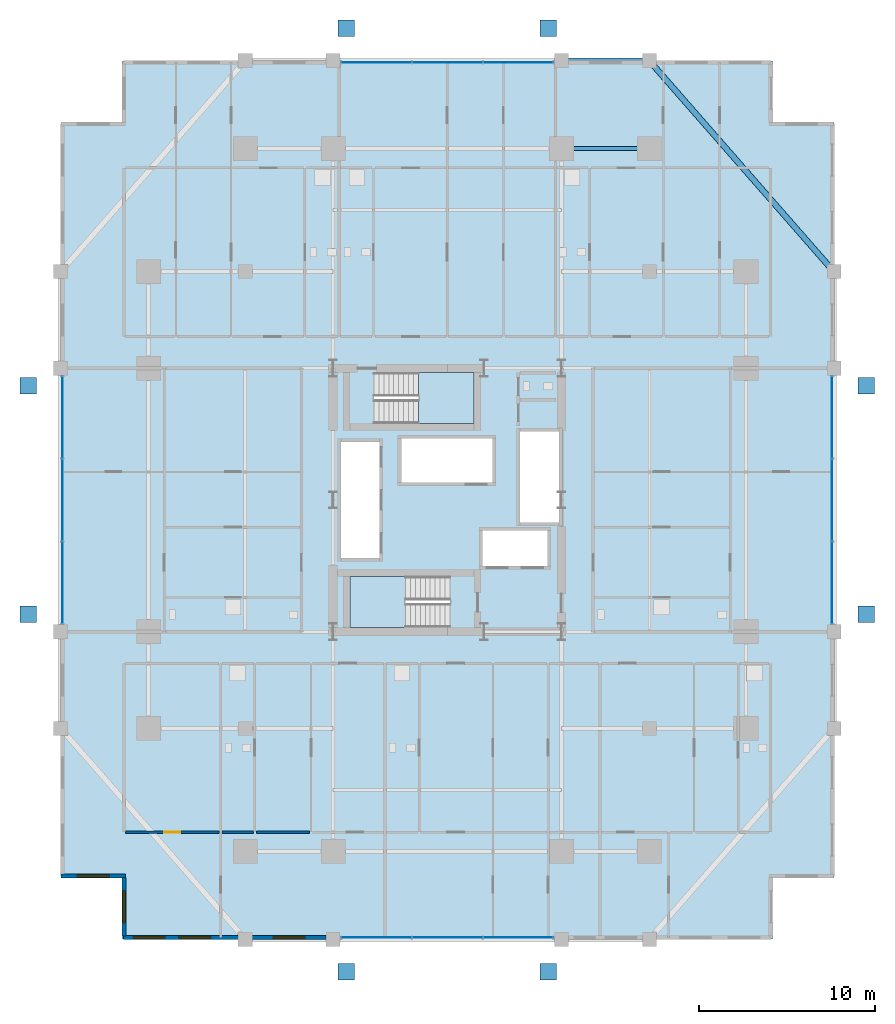
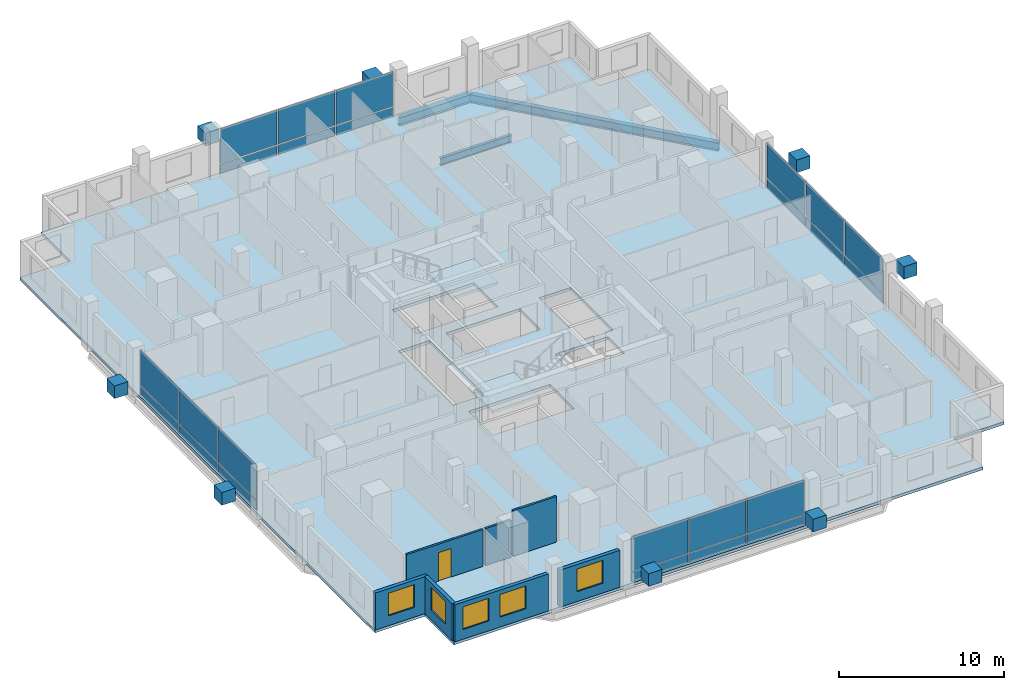
# One storey, part 16 of 24: 32 plates, 7 walls, 5 windows, 3 beams, 3 slabs, 1 door, 6 openings, 6 elements without a shape of their own.
"""IFC4 building model written with IfcOpenShell, lengths in metres."""

from ifc_helpers import new_model, si_unit, direction, frame, frame_2d, origin, origin_2d, place, context, subcontext, project, spatial, polyline, rectangle, i_section, outline, extrude, material, layer, layer_set, material_profile, profile_set, type_object, element, fill, aggregate, save


model = new_model("IFC4")

# Units and contexts
model_context = context("Model", 3, precision=1e-05, world=origin(), true_north=direction((0.0, 1.0)))
body_context = subcontext(model_context, "Body", "Model", "MODEL_VIEW")
ifc_project = project(units=[si_unit("LENGTHUNIT", "METRE"), si_unit("AREAUNIT", "SQUARE_METRE"), si_unit("VOLUMEUNIT", "CUBIC_METRE"), si_unit("PLANEANGLEUNIT", "RADIAN"), si_unit("MASSUNIT", "GRAM", prefix="KILO")], contexts=[model_context])

# Site, building, storey
site_placement = place(None, origin())
site = spatial("IfcSite", under=ifc_project, at=site_placement, CompositionType="ELEMENT")
building_placement = place(site_placement, origin())
building = spatial("IfcBuilding", under=site, at=building_placement, Name="Barlavira Tower and Art Museum", CompositionType="ELEMENT")
storey_placement = place(building_placement, frame((0.0, 0.0, 43.199951171875)))
storey = spatial("IfcBuildingStorey", under=building, at=storey_placement, Name="L09", CompositionType="ELEMENT", Elevation=43.199951171875)

# Beams
ifc_material_1 = material(Name="Steel S355", Category="steel")
ifc_material_profile_1 = material_profile(ifc_material_1, i_section(OverallWidth=0.327880859375, OverallDepth=0.62890625, WebThickness=0.013916015625, FlangeThickness=0.021484375, at=origin_2d()), Name="W610x174.0")
ifc_profile_set_1 = profile_set([ifc_material_profile_1], Name="Steel S355")
beam_type_1 = type_object("IfcBeamType", Name="Perimeter Spandrel Edge Beam W610x174 Steel S355", PredefinedType="SPANDREL", material=ifc_profile_set_1)
beam_1_placement = place(storey_placement, frame((22.0, 13.0, -0.534423828125), z_axis=(-0.658504607869, 0.752576694707, 0.0), x_axis=(-0.752576694707, -0.658504607869, 0.0)))
element("IfcBeam", 1, at=beam_1_placement, inside=storey, type_object=beam_type_1, Name="L09 Spandrel 8", PredefinedType="SPANDREL", context=body_context, shape_type="SweptSolid", body=[
    extrude(i_section(OverallWidth=0.327880859375, OverallDepth=0.62890625, WebThickness=0.013916015625, FlangeThickness=0.021484375, at=origin_2d()), origin(), (0.0, 0.0, 1.0), 15.9453125),
])
beam_2_placement = place(storey_placement, frame((6.5, 25.0, -0.534423828125), z_axis=(1.0, 0.0, 0.0), x_axis=(0.0, 1.0, 0.0)))
element("IfcBeam", 2, at=beam_2_placement, inside=storey, type_object=beam_type_1, Name="L09 Spandrel 9", PredefinedType="SPANDREL", context=body_context, shape_type="SweptSolid", body=[
    extrude(i_section(OverallWidth=0.327880859375, OverallDepth=0.62890625, WebThickness=0.013916015625, FlangeThickness=0.021484375, at=origin_2d()), origin(), (0.0, 0.0, 1.0), 5.0),
])
ifc_material_profile_2 = material_profile(ifc_material_1, i_section(OverallWidth=0.214111328125, OverallDepth=0.549072265625, WebThickness=0.0146484375, FlangeThickness=0.023681640625, at=origin_2d()), Name="W530x138.0")
ifc_profile_set_2 = profile_set([ifc_material_profile_2], Name="Steel S355")
beam_type_2 = type_object("IfcBeamType", Name="Zone 1 Primary Floor Girder W530x138 Steel S355", PredefinedType="BEAM", material=ifc_profile_set_2)
beam_3_placement = place(storey_placement, frame((6.5, 20.0, -0.494384765625), z_axis=(1.0, 0.0, 0.0), x_axis=(0.0, 1.0, 0.0)))
element("IfcBeam", 3, at=beam_3_placement, inside=storey, type_object=beam_type_2, Name="L09 Girder M-N3", PredefinedType="BEAM", context=body_context, shape_type="SweptSolid", body=[
    extrude(i_section(OverallWidth=0.214111328125, OverallDepth=0.549072265625, WebThickness=0.0146484375, FlangeThickness=0.023681640625, at=origin_2d()), origin(), (0.0, 0.0, 1.0), 5.0),
])

# Curtain wall, plates
ifc_material_2 = material(Name="Low-iron coastal laminated glass", Category="glass")
ifc_layer_1 = layer(ifc_material_2, 0.179931640625, Name="Low-iron coastal laminated glass")
ifc_layer_set_1 = layer_set([ifc_layer_1], Name="Low-iron coastal laminated glass")
curtain_wall_type = type_object("IfcCurtainWallType", Name="Pale-Metal Unitised Curtain Wall Zone 1", PredefinedType="NOTDEFINED", material=ifc_layer_set_1)
curtain_wall_1_placement = place(storey_placement, origin())
curtain_wall_1 = element("IfcCurtainWall", 4, at=curtain_wall_1_placement, inside=storey, type_object=curtain_wall_type, Name="L09 Curtain Wall CW1-L09-S-B3", PredefinedType="NOTDEFINED")
ifc_material_3 = material(Name="Pale anodised aluminium", Category="aluminium")
ifc_layer_2 = layer(ifc_material_3, 0.044921875, Name="Pale anodised aluminium")
ifc_layer_set_2 = layer_set([ifc_layer_2], Name="Pale anodised aluminium")
plate_type_1 = type_object("IfcPlateType", Name="Curtain Wall Pale-Metal Spandrel Panel 45", PredefinedType="CURTAIN_PANEL", material=ifc_layer_set_2)
plate_1_placement = place(storey_placement, frame((-4.05322265625, -24.89990234375, 0.0400390625), z_axis=(0.0, 0.0, 1.0), x_axis=(1.0, 0.0, 0.0)))
plate_1 = element("IfcPlate", 5, at=plate_1_placement, type_object=plate_type_1, Name="CW1-L09-S-B3 Spandrel Panel 0", PredefinedType="CURTAIN_PANEL", context=body_context, shape_type="SweptSolid", body=[
    extrude(rectangle(XDim=3.953369140625, YDim=0.044921875, at=origin_2d()), origin(), (0.0, 0.0, 1.0), 0.6640625),
])
plate_2_placement = place(storey_placement, frame((0.0, -24.89990234375, 0.0400390625), z_axis=(0.0, 0.0, 1.0), x_axis=(1.0, 0.0, 0.0)))
plate_2 = element("IfcPlate", 6, at=plate_2_placement, type_object=plate_type_1, Name="CW1-L09-S-B3 Spandrel Panel 1", PredefinedType="CURTAIN_PANEL", context=body_context, shape_type="SweptSolid", body=[
    extrude(rectangle(XDim=3.953369140625, YDim=0.044921875, at=origin_2d()), origin(), (0.0, 0.0, 1.0), 0.6640625),
])
plate_3_placement = place(storey_placement, frame((4.05322265625, -24.89990234375, 0.0400390625), z_axis=(0.0, 0.0, 1.0), x_axis=(1.0, 0.0, 0.0)))
plate_3 = element("IfcPlate", 7, at=plate_3_placement, type_object=plate_type_1, Name="CW1-L09-S-B3 Spandrel Panel 2", PredefinedType="CURTAIN_PANEL", context=body_context, shape_type="SweptSolid", body=[
    extrude(rectangle(XDim=3.953369140625, YDim=0.044921875, at=origin_2d()), origin(), (0.0, 0.0, 1.0), 0.6640625),
])

curtain_wall_2_placement = place(storey_placement, origin())
curtain_wall_2 = element("IfcCurtainWall", 8, at=curtain_wall_2_placement, inside=storey, type_object=curtain_wall_type, Name="L09 Curtain Wall CW1-L09-N-B3", PredefinedType="NOTDEFINED")
plate_4_placement = place(storey_placement, frame((4.05322265625, 24.89990234375, 0.0400390625), z_axis=(0.0, 0.0, 1.0), x_axis=(-1.0, 0.0, 0.0)))
plate_4 = element("IfcPlate", 9, at=plate_4_placement, type_object=plate_type_1, Name="CW1-L09-N-B3 Spandrel Panel 0", PredefinedType="CURTAIN_PANEL", context=body_context, shape_type="SweptSolid", body=[
    extrude(rectangle(XDim=3.953369140625, YDim=0.044921875, at=origin_2d()), origin(), (0.0, 0.0, 1.0), 0.6640625),
])
plate_5_placement = place(storey_placement, frame((0.0, 24.89990234375, 0.0400390625), z_axis=(0.0, 0.0, 1.0), x_axis=(-1.0, 0.0, 0.0)))
plate_5 = element("IfcPlate", 10, at=plate_5_placement, type_object=plate_type_1, Name="CW1-L09-N-B3 Spandrel Panel 1", PredefinedType="CURTAIN_PANEL", context=body_context, shape_type="SweptSolid", body=[
    extrude(rectangle(XDim=3.953369140625, YDim=0.044921875, at=origin_2d()), origin(), (0.0, 0.0, 1.0), 0.6640625),
])
plate_6_placement = place(storey_placement, frame((-4.05322265625, 24.89990234375, 0.0400390625), z_axis=(0.0, 0.0, 1.0), x_axis=(-1.0, 0.0, 0.0)))
plate_6 = element("IfcPlate", 11, at=plate_6_placement, type_object=plate_type_1, Name="CW1-L09-N-B3 Spandrel Panel 2", PredefinedType="CURTAIN_PANEL", context=body_context, shape_type="SweptSolid", body=[
    extrude(rectangle(XDim=3.953369140625, YDim=0.044921875, at=origin_2d()), origin(), (0.0, 0.0, 1.0), 0.6640625),
])

curtain_wall_3_placement = place(storey_placement, origin())
curtain_wall_3 = element("IfcCurtainWall", 12, at=curtain_wall_3_placement, inside=storey, type_object=curtain_wall_type, Name="L09 Curtain Wall CW1-L09-W-B3", PredefinedType="NOTDEFINED")
plate_7_placement = place(storey_placement, frame((-21.89990234375, 4.719970703125, 0.0400390625), z_axis=(0.0, 0.0, 1.0), x_axis=(0.0, -1.0, 0.0)))
plate_7 = element("IfcPlate", 13, at=plate_7_placement, type_object=plate_type_1, Name="CW1-L09-W-B3 Spandrel Panel 0", PredefinedType="CURTAIN_PANEL", context=body_context, shape_type="SweptSolid", body=[
    extrude(rectangle(XDim=4.6201171875, YDim=0.044921875, at=origin_2d()), origin(), (0.0, 0.0, 1.0), 0.6640625),
])
plate_8_placement = place(storey_placement, frame((-21.89990234375, 0.0, 0.0400390625), z_axis=(0.0, 0.0, 1.0), x_axis=(0.0, -1.0, 0.0)))
plate_8 = element("IfcPlate", 14, at=plate_8_placement, type_object=plate_type_1, Name="CW1-L09-W-B3 Spandrel Panel 1", PredefinedType="CURTAIN_PANEL", context=body_context, shape_type="SweptSolid", body=[
    extrude(rectangle(XDim=4.6201171875, YDim=0.044921875, at=origin_2d()), origin(), (0.0, 0.0, 1.0), 0.6640625),
])
plate_9_placement = place(storey_placement, frame((-21.89990234375, -4.719970703125, 0.0400390625), z_axis=(0.0, 0.0, 1.0), x_axis=(0.0, -1.0, 0.0)))
plate_9 = element("IfcPlate", 15, at=plate_9_placement, type_object=plate_type_1, Name="CW1-L09-W-B3 Spandrel Panel 2", PredefinedType="CURTAIN_PANEL", context=body_context, shape_type="SweptSolid", body=[
    extrude(rectangle(XDim=4.6201171875, YDim=0.044921875, at=origin_2d()), origin(), (0.0, 0.0, 1.0), 0.6640625),
])

curtain_wall_4_placement = place(storey_placement, origin())
curtain_wall_4 = element("IfcCurtainWall", 16, at=curtain_wall_4_placement, inside=storey, type_object=curtain_wall_type, Name="L09 Curtain Wall CW1-L09-E-B3", PredefinedType="NOTDEFINED")
plate_10_placement = place(storey_placement, frame((21.89990234375, -4.719970703125, 0.0400390625), z_axis=(0.0, 0.0, 1.0), x_axis=(0.0, 1.0, 0.0)))
plate_10 = element("IfcPlate", 17, at=plate_10_placement, type_object=plate_type_1, Name="CW1-L09-E-B3 Spandrel Panel 0", PredefinedType="CURTAIN_PANEL", context=body_context, shape_type="SweptSolid", body=[
    extrude(rectangle(XDim=4.6201171875, YDim=0.044921875, at=origin_2d()), origin(), (0.0, 0.0, 1.0), 0.6640625),
])
plate_11_placement = place(storey_placement, frame((21.89990234375, 0.0, 0.0400390625), z_axis=(0.0, 0.0, 1.0), x_axis=(0.0, 1.0, 0.0)))
plate_11 = element("IfcPlate", 18, at=plate_11_placement, type_object=plate_type_1, Name="CW1-L09-E-B3 Spandrel Panel 1", PredefinedType="CURTAIN_PANEL", context=body_context, shape_type="SweptSolid", body=[
    extrude(rectangle(XDim=4.6201171875, YDim=0.044921875, at=origin_2d()), origin(), (0.0, 0.0, 1.0), 0.6640625),
])
plate_12_placement = place(storey_placement, frame((21.89990234375, 4.719970703125, 0.0400390625), z_axis=(0.0, 0.0, 1.0), x_axis=(0.0, 1.0, 0.0)))
plate_12 = element("IfcPlate", 19, at=plate_12_placement, type_object=plate_type_1, Name="CW1-L09-E-B3 Spandrel Panel 2", PredefinedType="CURTAIN_PANEL", context=body_context, shape_type="SweptSolid", body=[
    extrude(rectangle(XDim=4.6201171875, YDim=0.044921875, at=origin_2d()), origin(), (0.0, 0.0, 1.0), 0.6640625),
])

# Plate
ifc_layer_3 = layer(ifc_material_2, 0.028076171875, Name="Low-iron coastal laminated glass")
ifc_layer_set_3 = layer_set([ifc_layer_3], Name="Low-iron coastal laminated glass")
plate_type_2 = type_object("IfcPlateType", Name="Curtain Wall Vision Glazing Panel 28", PredefinedType="CURTAIN_PANEL", material=ifc_layer_set_3)
plate_13_placement = place(storey_placement, frame((-4.05322265625, -24.89990234375, 0.7841796875), z_axis=(0.0, 0.0, 1.0), x_axis=(1.0, 0.0, 0.0)))
plate_13 = element("IfcPlate", 20, at=plate_13_placement, type_object=plate_type_2, Name="CW1-L09-S-B3 Vision Glass Panel 0", PredefinedType="CURTAIN_PANEL", context=body_context, shape_type="SweptSolid", body=[
    extrude(rectangle(XDim=3.953369140625, YDim=0.028076171875, at=origin_2d()), origin(), (0.0, 0.0, 1.0), 2.555908203125),
])

plate_14_placement = place(storey_placement, frame((0.0, -24.89990234375, 0.7841796875), z_axis=(0.0, 0.0, 1.0), x_axis=(1.0, 0.0, 0.0)))
plate_14 = element("IfcPlate", 21, at=plate_14_placement, type_object=plate_type_2, Name="CW1-L09-S-B3 Vision Glass Panel 1", PredefinedType="CURTAIN_PANEL", context=body_context, shape_type="SweptSolid", body=[
    extrude(rectangle(XDim=3.953369140625, YDim=0.028076171875, at=origin_2d()), origin(), (0.0, 0.0, 1.0), 2.555908203125),
])

plate_15_placement = place(storey_placement, frame((4.05322265625, -24.89990234375, 0.7841796875), z_axis=(0.0, 0.0, 1.0), x_axis=(1.0, 0.0, 0.0)))
plate_15 = element("IfcPlate", 22, at=plate_15_placement, type_object=plate_type_2, Name="CW1-L09-S-B3 Vision Glass Panel 2", PredefinedType="CURTAIN_PANEL", context=body_context, shape_type="SweptSolid", body=[
    extrude(rectangle(XDim=3.953369140625, YDim=0.028076171875, at=origin_2d()), origin(), (0.0, 0.0, 1.0), 2.555908203125),
])

aggregate(curtain_wall_1, [plate_1, plate_13, plate_2, plate_14, plate_3, plate_15])

plate_16_placement = place(storey_placement, frame((4.05322265625, 24.89990234375, 0.7841796875), z_axis=(0.0, 0.0, 1.0), x_axis=(-1.0, 0.0, 0.0)))
plate_16 = element("IfcPlate", 23, at=plate_16_placement, type_object=plate_type_2, Name="CW1-L09-N-B3 Vision Glass Panel 0", PredefinedType="CURTAIN_PANEL", context=body_context, shape_type="SweptSolid", body=[
    extrude(rectangle(XDim=3.953369140625, YDim=0.028076171875, at=origin_2d()), origin(), (0.0, 0.0, 1.0), 2.555908203125),
])

plate_17_placement = place(storey_placement, frame((0.0, 24.89990234375, 0.7841796875), z_axis=(0.0, 0.0, 1.0), x_axis=(-1.0, 0.0, 0.0)))
plate_17 = element("IfcPlate", 24, at=plate_17_placement, type_object=plate_type_2, Name="CW1-L09-N-B3 Vision Glass Panel 1", PredefinedType="CURTAIN_PANEL", context=body_context, shape_type="SweptSolid", body=[
    extrude(rectangle(XDim=3.953369140625, YDim=0.028076171875, at=origin_2d()), origin(), (0.0, 0.0, 1.0), 2.555908203125),
])

plate_18_placement = place(storey_placement, frame((-4.05322265625, 24.89990234375, 0.7841796875), z_axis=(0.0, 0.0, 1.0), x_axis=(-1.0, 0.0, 0.0)))
plate_18 = element("IfcPlate", 25, at=plate_18_placement, type_object=plate_type_2, Name="CW1-L09-N-B3 Vision Glass Panel 2", PredefinedType="CURTAIN_PANEL", context=body_context, shape_type="SweptSolid", body=[
    extrude(rectangle(XDim=3.953369140625, YDim=0.028076171875, at=origin_2d()), origin(), (0.0, 0.0, 1.0), 2.555908203125),
])

aggregate(curtain_wall_2, [plate_4, plate_16, plate_5, plate_17, plate_6, plate_18])

plate_19_placement = place(storey_placement, frame((-21.89990234375, 4.719970703125, 0.7841796875), z_axis=(0.0, 0.0, 1.0), x_axis=(0.0, -1.0, 0.0)))
plate_19 = element("IfcPlate", 26, at=plate_19_placement, type_object=plate_type_2, Name="CW1-L09-W-B3 Vision Glass Panel 0", PredefinedType="CURTAIN_PANEL", context=body_context, shape_type="SweptSolid", body=[
    extrude(rectangle(XDim=4.6201171875, YDim=0.028076171875, at=origin_2d()), origin(), (0.0, 0.0, 1.0), 2.555908203125),
])

plate_20_placement = place(storey_placement, frame((-21.89990234375, 0.0, 0.7841796875), z_axis=(0.0, 0.0, 1.0), x_axis=(0.0, -1.0, 0.0)))
plate_20 = element("IfcPlate", 27, at=plate_20_placement, type_object=plate_type_2, Name="CW1-L09-W-B3 Vision Glass Panel 1", PredefinedType="CURTAIN_PANEL", context=body_context, shape_type="SweptSolid", body=[
    extrude(rectangle(XDim=4.6201171875, YDim=0.028076171875, at=origin_2d()), origin(), (0.0, 0.0, 1.0), 2.555908203125),
])

plate_21_placement = place(storey_placement, frame((-21.89990234375, -4.719970703125, 0.7841796875), z_axis=(0.0, 0.0, 1.0), x_axis=(0.0, -1.0, 0.0)))
plate_21 = element("IfcPlate", 28, at=plate_21_placement, type_object=plate_type_2, Name="CW1-L09-W-B3 Vision Glass Panel 2", PredefinedType="CURTAIN_PANEL", context=body_context, shape_type="SweptSolid", body=[
    extrude(rectangle(XDim=4.6201171875, YDim=0.028076171875, at=origin_2d()), origin(), (0.0, 0.0, 1.0), 2.555908203125),
])

aggregate(curtain_wall_3, [plate_7, plate_19, plate_8, plate_20, plate_9, plate_21])

plate_22_placement = place(storey_placement, frame((21.89990234375, -4.719970703125, 0.7841796875), z_axis=(0.0, 0.0, 1.0), x_axis=(0.0, 1.0, 0.0)))
plate_22 = element("IfcPlate", 29, at=plate_22_placement, type_object=plate_type_2, Name="CW1-L09-E-B3 Vision Glass Panel 0", PredefinedType="CURTAIN_PANEL", context=body_context, shape_type="SweptSolid", body=[
    extrude(rectangle(XDim=4.6201171875, YDim=0.028076171875, at=origin_2d()), origin(), (0.0, 0.0, 1.0), 2.555908203125),
])

plate_23_placement = place(storey_placement, frame((21.89990234375, 0.0, 0.7841796875), z_axis=(0.0, 0.0, 1.0), x_axis=(0.0, 1.0, 0.0)))
plate_23 = element("IfcPlate", 30, at=plate_23_placement, type_object=plate_type_2, Name="CW1-L09-E-B3 Vision Glass Panel 1", PredefinedType="CURTAIN_PANEL", context=body_context, shape_type="SweptSolid", body=[
    extrude(rectangle(XDim=4.6201171875, YDim=0.028076171875, at=origin_2d()), origin(), (0.0, 0.0, 1.0), 2.555908203125),
])

plate_24_placement = place(storey_placement, frame((21.89990234375, 4.719970703125, 0.7841796875), z_axis=(0.0, 0.0, 1.0), x_axis=(0.0, 1.0, 0.0)))
plate_24 = element("IfcPlate", 31, at=plate_24_placement, type_object=plate_type_2, Name="CW1-L09-E-B3 Vision Glass Panel 2", PredefinedType="CURTAIN_PANEL", context=body_context, shape_type="SweptSolid", body=[
    extrude(rectangle(XDim=4.6201171875, YDim=0.028076171875, at=origin_2d()), origin(), (0.0, 0.0, 1.0), 2.555908203125),
])

aggregate(curtain_wall_4, [plate_10, plate_22, plate_11, plate_23, plate_12, plate_24])

# Plates
ifc_layer_4 = layer(ifc_material_1, 0.93994140625, Name="Steel S355")
ifc_layer_set_4 = layer_set([ifc_layer_4], Name="Steel S355")
plate_type_3 = type_object("IfcPlateType", Name="Exoskeleton Solid Steel Node Cap Plate Assembly Type 1 Steel S355", PredefinedType="USERDEFINED", material=ifc_layer_set_4)
for number, where, z_axis, x_axis, name in (
    (32, (-5.75, -26.85009765625, 1.2099609375), (0.0, 0.0, 1.0), (1.0, 0.0, 0.0), "Exoskeleton Diamond Node S1 ND-L09-0048"),
    (33, (5.75, -26.85009765625, 1.2099609375), (0.0, 0.0, 1.0), (1.0, 0.0, 0.0), "Exoskeleton Diamond Node S2 ND-L09-0049"),
    (34, (-5.75, 26.85009765625, 1.2099609375), (0.0, 0.0, 1.0), (1.0, 0.0, 0.0), "Exoskeleton Diamond Node N1 ND-L09-0056"),
    (35, (5.75, 26.85009765625, 1.2099609375), (0.0, 0.0, 1.0), (1.0, 0.0, 0.0), "Exoskeleton Diamond Node N2 ND-L09-0057"),
    (36, (-23.85009765625, -6.5, 1.2099609375), (0.0, 0.0, 1.0), (1.0, 0.0, 0.0), "Exoskeleton Diamond Node W1 ND-L09-0064"),
    (37, (-23.85009765625, 6.5, 1.2099609375), (0.0, 0.0, 1.0), (1.0, 0.0, 0.0), "Exoskeleton Diamond Node W2 ND-L09-0065"),
    (38, (23.85009765625, -6.5, 1.2099609375), (0.0, 0.0, 1.0), (1.0, 0.0, 0.0), "Exoskeleton Diamond Node E1 ND-L09-0072"),
    (39, (23.85009765625, 6.5, 1.2099609375), (0.0, 0.0, 1.0), (1.0, 0.0, 0.0), "Exoskeleton Diamond Node E2 ND-L09-0073"),
):
    element("IfcPlate", number, at=place(storey_placement, frame(where, z_axis=z_axis, x_axis=x_axis)), inside=storey, type_object=plate_type_3, Name=name, ObjectType="FLANGE_PLATE", PredefinedType="USERDEFINED", context=body_context, shape_type="SweptSolid", body=[
        extrude(rectangle(XDim=0.93994140625, YDim=0.93994140625, at=origin_2d()), origin(), (0.0, 0.0, 1.0), 0.93994140625),
    ])

# Stair, slab
ifc_material_4 = material(Name="Concrete C45", Category="concrete")
stair_type_1 = type_object("IfcStairType", Name="Tower North Dog-Leg Exit Stair Assembly Concrete C45", PredefinedType="TWO_QUARTER_TURN_STAIR", material=ifc_material_4)
stair_1_placement = place(storey_placement, origin())
stair_1 = element("IfcStair", 40, at=stair_1_placement, inside=storey, type_object=stair_type_1, Name="L09 Tower North Exit Stair ST-T2", PredefinedType="TWO_QUARTER_TURN_STAIR")
ifc_layer_5 = layer(ifc_material_4, 0.199951171875, Name="Concrete C45")
ifc_layer_set_5 = layer_set([ifc_layer_5], Name="Concrete C45")
slab_type_1 = type_object("IfcSlabType", Name="Tower North Dog-Leg Exit Stair Half-Landing Slab 200 Concrete C45", PredefinedType="LANDING", material=ifc_layer_set_5)
slab_1_placement = place(storey_placement, frame((0.0, 0.0, 1.60009765625)))
slab_1 = element("IfcSlab", 41, at=slab_1_placement, type_object=slab_type_1, Name="ST-T2 landing 1", PredefinedType="LANDING", context=body_context, shape_type="SweptSolid", body=[
    extrude(outline(polyline([(-1.64990234375, 4.35009765625), (1.530029296875, 4.35009765625), (1.530029296875, 7.25), (-1.64990234375, 7.25), (-1.64990234375, 4.35009765625)])), origin(), (0.0, 0.0, 1.0), 0.199951171875),
])
aggregate(stair_1, [slab_1])

stair_type_2 = type_object("IfcStairType", Name="Tower South Dog-Leg Exit Stair Assembly Concrete C45", PredefinedType="TWO_QUARTER_TURN_STAIR", material=ifc_material_4)
stair_2_placement = place(storey_placement, origin())
stair_2 = element("IfcStair", 42, at=stair_2_placement, inside=storey, type_object=stair_type_2, Name="L09 Tower South Exit Stair ST-T1", PredefinedType="TWO_QUARTER_TURN_STAIR")
ifc_layer_6 = layer(ifc_material_4, 0.199951171875, Name="Concrete C45")
ifc_layer_set_6 = layer_set([ifc_layer_6], Name="Concrete C45")
slab_type_2 = type_object("IfcSlabType", Name="Tower South Dog-Leg Exit Stair Half-Landing Slab 200 Concrete C45", PredefinedType="LANDING", material=ifc_layer_set_6)
slab_2_placement = place(storey_placement, frame((0.0, 0.0, 1.60009765625)))
slab_2 = element("IfcSlab", 43, at=slab_2_placement, type_object=slab_type_2, Name="ST-T1 landing 1", PredefinedType="LANDING", context=body_context, shape_type="SweptSolid", body=[
    extrude(outline(polyline([(-2.3701171875, -4.35009765625), (-5.550048828125, -4.35009765625), (-5.550048828125, -7.25), (-2.3701171875, -7.25), (-2.3701171875, -4.35009765625)])), origin(), (0.0, 0.0, 1.0), 0.199951171875),
])
aggregate(stair_2, [slab_2])

# Slab
ifc_material_5 = material(Name="Concrete C50", Category="concrete")
ifc_layer_7 = layer(ifc_material_5, 0.219970703125, Name="Concrete C50")
ifc_layer_set_7 = layer_set([ifc_layer_7], Name="Concrete C50")
slab_type_3 = type_object("IfcSlabType", Name="Zone 1 Residential Composite Slab 220 Concrete C50", PredefinedType="FLOOR", material=ifc_layer_set_7)
slab_3_placement = place(storey_placement, frame((0.0, 0.0, -0.219970703125)))
element("IfcSlab", 44, at=slab_3_placement, inside=storey, type_object=slab_type_3, Name="L09 Tower Floor Slab", PredefinedType="FLOOR", context=body_context, shape_type="SweptSolid", body=[
    extrude(outline(polyline([(-18.5, -25.0), (18.5, -25.0), (18.5, -21.5), (22.0, -21.5), (22.0, 21.5), (18.5, 21.5), (18.5, 25.0), (-18.5, 25.0), (-18.5, 21.5), (-22.0, 21.5), (-22.0, -21.5), (-18.5, -21.5), (-18.5, -25.0)]), holes=[polyline([(0.14990234375, -4.35009765625), (-5.550048828125, -4.35009765625), (-5.550048828125, -7.25), (0.14990234375, -7.25), (0.14990234375, -4.35009765625)]), polyline([(-4.169921875, 4.35009765625), (1.530029296875, 4.35009765625), (1.530029296875, 7.25), (-4.169921875, 7.25), (-4.169921875, 4.35009765625)]), polyline([(-6.050048828125, -3.31005859375), (-3.85009765625, -3.31005859375), (-3.85009765625, 3.31005859375), (-6.050048828125, 3.31005859375), (-6.050048828125, -3.31005859375)]), polyline([(4.14990234375, -1.2900390625), (6.35009765625, -1.2900390625), (6.35009765625, 3.889892578125), (4.14990234375, 3.889892578125), (4.14990234375, -1.2900390625)]), polyline([(-2.6201171875, 1.0), (2.56005859375, 1.0), (2.56005859375, 3.5), (-2.6201171875, 3.5), (-2.6201171875, 1.0)]), polyline([(2.0, -3.75), (5.699951171875, -3.75), (5.699951171875, -1.75), (2.0, -1.75), (2.0, -3.75)])]), origin(), (0.0, 0.0, 1.0), 0.219970703125),
])

# Wall, opening, door
ifc_material_6 = material(Name="Gypsum acoustic stud partition", Category="gypsum")
ifc_layer_8 = layer(ifc_material_6, 0.139892578125, Name="Gypsum acoustic stud partition")
ifc_layer_set_8 = layer_set([ifc_layer_8], Name="Gypsum acoustic stud partition")
wall_type_1 = type_object("IfcWallType", Name="Moisture-Resistant Bathroom Partition 140", PredefinedType="PARTITIONING", material=ifc_layer_set_8)
wall_1_placement = place(storey_placement, frame((-18.320068359375, -18.89990234375, 0.0), z_axis=(0.0, 0.0, 1.0), x_axis=(1.0, 0.0, 0.0)))
wall_1 = element("IfcWall", 45, at=wall_1_placement, inside=storey, type_object=wall_type_1, Name="L09 Partition Wall 32", PredefinedType="PARTITIONING", context=body_context, shape_type="SweptSolid", body=[
    extrude(rectangle(XDim=5.340087890625, YDim=0.139892578125, at=frame_2d((2.669921875, 0.0))), origin(), (0.0, 0.0, 1.0), 2.736083984375),
])
opening_1_placement = place(wall_1_placement, frame((2.2099609375, 0.0, 0.0)))
opening_1 = element("IfcOpeningElement", 46, at=opening_1_placement, cuts=wall_1, Name="Opening D-01", PredefinedType="OPENING", context=body_context, shape_type="SweptSolid", body=[
    extrude(rectangle(XDim=0.89990234375, YDim=2.10009765625, at=frame_2d((0.449951171875, 1.050048828125))), frame((0.0, 0.080078125, 0.0), z_axis=(0.0, -1.0, 0.0), x_axis=(1.0, 0.0, 0.0)), (0.0, 0.0, 1.0), 0.159912109375),
])
ifc_material_7 = material(Name="Engineered coastal hardwood", Category="wood")
door_type = type_object("IfcDoorType", Name="Internal Bedroom Timber Flush Door 900x2100", OperationType="NOTDEFINED", PredefinedType="DOOR", material=ifc_material_7)
door_placement = place(opening_1_placement, origin())
door = element("IfcDoor", 47, at=door_placement, inside=storey, type_object=door_type, Name="Apartment S1 Walk-In Dressing Room Door", OperationType="SINGLE_SWING_RIGHT", OverallHeight=2.10009765625, OverallWidth=0.89990234375, PredefinedType="DOOR", context=body_context, shape_type="SweptSolid", body=[
    extrude(rectangle(XDim=0.89990234375, YDim=2.10009765625, at=frame_2d((0.449951171875, 1.050048828125))), frame((0.0, 0.02490234375, 0.0), z_axis=(0.0, -1.0, 0.0), x_axis=(1.0, 0.0, 0.0)), (0.0, 0.0, 1.0), 0.050048828125),
])
fill(opening_1, door)

# Walls
wall_2_placement = place(storey_placement, frame((-12.820068359375, -18.89990234375, 0.0), z_axis=(0.0, 0.0, 1.0), x_axis=(1.0, 0.0, 0.0)))
element("IfcWall", 48, at=wall_2_placement, inside=storey, type_object=wall_type_1, Name="L09 Partition Wall 33", PredefinedType="PARTITIONING", context=body_context, shape_type="SweptSolid", body=[
    extrude(rectangle(XDim=1.7900390625, YDim=0.139892578125, at=frame_2d((0.89501953125, 0.0))), origin(), (0.0, 0.0, 1.0), 2.736083984375),
])
wall_3_placement = place(storey_placement, frame((-10.8701171875, -18.89990234375, 0.0), z_axis=(0.0, 0.0, 1.0), x_axis=(1.0, 0.0, 0.0)))
element("IfcWall", 49, at=wall_3_placement, inside=storey, type_object=wall_type_1, Name="L09 Partition Wall 34", PredefinedType="PARTITIONING", context=body_context, shape_type="SweptSolid", body=[
    extrude(rectangle(XDim=3.0400390625, YDim=0.139892578125, at=frame_2d((1.52001953125, 0.0))), origin(), (0.0, 0.0, 1.0), 3.380126953125),
])

# Wall, openings, windows
ifc_material_8 = material(Name="Precast concrete C40", Category="concrete")
ifc_layer_9 = layer(ifc_material_8, 0.25, Name="Precast concrete C40")
ifc_layer_set_9 = layer_set([ifc_layer_9], Name="Precast concrete C40")
wall_type_2 = type_object("IfcWallType", Name="Notched Corner Spandrel Wall 250 Precast Concrete C40", PredefinedType="SOLIDWALL", material=ifc_layer_set_9)
wall_4_placement = place(storey_placement, frame((-18.425048828125, -24.89990234375, 0.0), z_axis=(0.0, 0.0, 1.0), x_axis=(1.0, 0.0, 0.0)))
wall_4 = element("IfcWall", 50, at=wall_4_placement, inside=storey, type_object=wall_type_2, Name="L09 Coastal Facade Pier Wall CW1-L09-S-1", PredefinedType="SOLIDWALL", context=body_context, shape_type="SweptSolid", body=[
    extrude(rectangle(XDim=6.530029296875, YDim=0.25, at=frame_2d((3.26513671875, 0.0))), origin(), (0.0, 0.0, 1.0), 2.736083984375),
])
opening_2_placement = place(wall_4_placement, frame((0.555908203125, 0.0, 0.719970703125)))
opening_2 = element("IfcOpeningElement", 51, at=opening_2_placement, cuts=wall_4, Name="Opening WN-01", PredefinedType="OPENING", context=body_context, shape_type="SweptSolid", body=[
    extrude(rectangle(XDim=1.800048828125, YDim=1.679931640625, at=frame_2d((0.89990234375, 0.83984375))), frame((0.0, 0.135009765625, 0.0), z_axis=(0.0, -1.0, 0.0), x_axis=(1.0, 0.0, 0.0)), (0.0, 0.0, 1.0), 0.27001953125),
])
opening_3_placement = place(wall_4_placement, frame((3.14892578125, 0.0, 0.719970703125)))
opening_3 = element("IfcOpeningElement", 52, at=opening_3_placement, cuts=wall_4, Name="Opening WN-01", PredefinedType="OPENING", context=body_context, shape_type="SweptSolid", body=[
    extrude(rectangle(XDim=1.800048828125, YDim=1.679931640625, at=frame_2d((0.89990234375, 0.83984375))), frame((0.0, 0.135009765625, 0.0), z_axis=(0.0, -1.0, 0.0), x_axis=(1.0, 0.0, 0.0)), (0.0, 0.0, 1.0), 0.27001953125),
])
window_type = type_object("IfcWindowType", Name="Recessed Notch Corner Punch Window 1800x1680", PartitioningType="SINGLE_PANEL", PredefinedType="WINDOW", material=ifc_material_2)
window_1_placement = place(opening_2_placement, origin())
window_1 = element("IfcWindow", 53, at=window_1_placement, inside=storey, type_object=window_type, Name="L09 Punched Facade Window EWP-CW1-L09-S-1-1", OverallHeight=1.679931640625, OverallWidth=1.800048828125, PartitioningType="SINGLE_PANEL", PredefinedType="WINDOW", context=body_context, shape_type="SweptSolid", body=[
    extrude(rectangle(XDim=1.800048828125, YDim=1.679931640625, at=frame_2d((0.89990234375, 0.83984375))), frame((0.0, 0.030029296875, 0.0), z_axis=(0.0, -1.0, 0.0), x_axis=(1.0, 0.0, 0.0)), (0.0, 0.0, 1.0), 0.06005859375),
])
fill(opening_2, window_1)
window_2_placement = place(opening_3_placement, origin())
window_2 = element("IfcWindow", 54, at=window_2_placement, inside=storey, type_object=window_type, Name="L09 Punched Facade Window EWP-CW1-L09-S-1-2", OverallHeight=1.679931640625, OverallWidth=1.800048828125, PartitioningType="SINGLE_PANEL", PredefinedType="WINDOW", context=body_context, shape_type="SweptSolid", body=[
    extrude(rectangle(XDim=1.800048828125, YDim=1.679931640625, at=frame_2d((0.89990234375, 0.83984375))), frame((0.0, 0.030029296875, 0.0), z_axis=(0.0, -1.0, 0.0), x_axis=(1.0, 0.0, 0.0)), (0.0, 0.0, 1.0), 0.06005859375),
])
fill(opening_3, window_2)

# Wall, opening, window
wall_5_placement = place(storey_placement, frame((-11.10498046875, -24.89990234375, 0.0), z_axis=(0.0, 0.0, 1.0), x_axis=(1.0, 0.0, 0.0)))
wall_5 = element("IfcWall", 55, at=wall_5_placement, inside=storey, type_object=wall_type_2, Name="L09 Coastal Facade Pier Wall CW1-L09-S-2", PredefinedType="SOLIDWALL", context=body_context, shape_type="SweptSolid", body=[
    extrude(rectangle(XDim=4.2099609375, YDim=0.25, at=frame_2d((2.10498046875, 0.0))), origin(), (0.0, 0.0, 1.0), 2.736083984375),
])
opening_4_placement = place(wall_5_placement, frame((1.205078125, 0.0, 0.719970703125)))
opening_4 = element("IfcOpeningElement", 56, at=opening_4_placement, cuts=wall_5, Name="Opening WN-01", PredefinedType="OPENING", context=body_context, shape_type="SweptSolid", body=[
    extrude(rectangle(XDim=1.800048828125, YDim=1.679931640625, at=frame_2d((0.89990234375, 0.83984375))), frame((0.0, 0.135009765625, 0.0), z_axis=(0.0, -1.0, 0.0), x_axis=(1.0, 0.0, 0.0)), (0.0, 0.0, 1.0), 0.27001953125),
])
window_3_placement = place(opening_4_placement, origin())
window_3 = element("IfcWindow", 57, at=window_3_placement, inside=storey, type_object=window_type, Name="L09 Punched Facade Window EWP-CW1-L09-S-2-1", OverallHeight=1.679931640625, OverallWidth=1.800048828125, PartitioningType="SINGLE_PANEL", PredefinedType="WINDOW", context=body_context, shape_type="SweptSolid", body=[
    extrude(rectangle(XDim=1.800048828125, YDim=1.679931640625, at=frame_2d((0.89990234375, 0.83984375))), frame((0.0, 0.030029296875, 0.0), z_axis=(0.0, -1.0, 0.0), x_axis=(1.0, 0.0, 0.0)), (0.0, 0.0, 1.0), 0.06005859375),
])
fill(opening_4, window_3)

wall_6_placement = place(storey_placement, frame((-21.97998046875, -21.39990234375, 0.0), z_axis=(0.0, 0.0, 1.0), x_axis=(1.0, 0.0, 0.0)))
wall_6 = element("IfcWall", 58, at=wall_6_placement, inside=storey, type_object=wall_type_2, Name="L09 Notch Corner Wall SW1", PredefinedType="SOLIDWALL", context=body_context, shape_type="SweptSolid", body=[
    extrude(rectangle(XDim=3.659912109375, YDim=0.25, at=frame_2d((1.830078125, 0.0))), origin(), (0.0, 0.0, 1.0), 2.736083984375),
])
opening_5_placement = place(wall_6_placement, frame((0.929931640625, 0.0, 0.719970703125)))
opening_5 = element("IfcOpeningElement", 59, at=opening_5_placement, cuts=wall_6, Name="Opening WN-01", PredefinedType="OPENING", context=body_context, shape_type="SweptSolid", body=[
    extrude(rectangle(XDim=1.800048828125, YDim=1.679931640625, at=frame_2d((0.89990234375, 0.83984375))), frame((0.0, 0.135009765625, 0.0), z_axis=(0.0, -1.0, 0.0), x_axis=(1.0, 0.0, 0.0)), (0.0, 0.0, 1.0), 0.27001953125),
])
window_4_placement = place(opening_5_placement, origin())
window_4 = element("IfcWindow", 60, at=window_4_placement, inside=storey, type_object=window_type, Name="L09 Punched Facade Window EW-NTC-L09-SW1-1", OverallHeight=1.679931640625, OverallWidth=1.800048828125, PartitioningType="SINGLE_PANEL", PredefinedType="WINDOW", context=body_context, shape_type="SweptSolid", body=[
    extrude(rectangle(XDim=1.800048828125, YDim=1.679931640625, at=frame_2d((0.89990234375, 0.83984375))), frame((0.0, 0.030029296875, 0.0), z_axis=(0.0, -1.0, 0.0), x_axis=(1.0, 0.0, 0.0)), (0.0, 0.0, 1.0), 0.06005859375),
])
fill(opening_5, window_4)

wall_7_placement = place(storey_placement, frame((-18.39990234375, -21.47998046875, 0.0), z_axis=(0.0, 0.0, 1.0), x_axis=(0.0, -1.0, 0.0)))
wall_7 = element("IfcWall", 61, at=wall_7_placement, inside=storey, type_object=wall_type_2, Name="L09 Notch Corner Wall SW2", PredefinedType="SOLIDWALL", context=body_context, shape_type="SweptSolid", body=[
    extrude(rectangle(XDim=3.340087890625, YDim=0.25, at=frame_2d((1.669921875, 0.0))), origin(), (0.0, 0.0, 1.0), 2.736083984375),
])
opening_6_placement = place(wall_7_placement, frame((0.77001953125, 0.0, 0.719970703125)))
opening_6 = element("IfcOpeningElement", 62, at=opening_6_placement, cuts=wall_7, Name="Opening WN-01", PredefinedType="OPENING", context=body_context, shape_type="SweptSolid", body=[
    extrude(rectangle(XDim=1.800048828125, YDim=1.679931640625, at=frame_2d((0.89990234375, 0.83984375))), frame((0.0, 0.135009765625, 0.0), z_axis=(0.0, -1.0, 0.0), x_axis=(1.0, 0.0, 0.0)), (0.0, 0.0, 1.0), 0.27001953125),
])
window_5_placement = place(opening_6_placement, origin())
window_5 = element("IfcWindow", 63, at=window_5_placement, inside=storey, type_object=window_type, Name="L09 Punched Facade Window EW-NTC-L09-SW2-1", OverallHeight=1.679931640625, OverallWidth=1.800048828125, PartitioningType="SINGLE_PANEL", PredefinedType="WINDOW", context=body_context, shape_type="SweptSolid", body=[
    extrude(rectangle(XDim=1.800048828125, YDim=1.679931640625, at=frame_2d((0.89990234375, 0.83984375))), frame((0.0, 0.030029296875, 0.0), z_axis=(0.0, -1.0, 0.0), x_axis=(1.0, 0.0, 0.0)), (0.0, 0.0, 1.0), 0.06005859375),
])
fill(opening_6, window_5)

save(model, "model.ifc")
